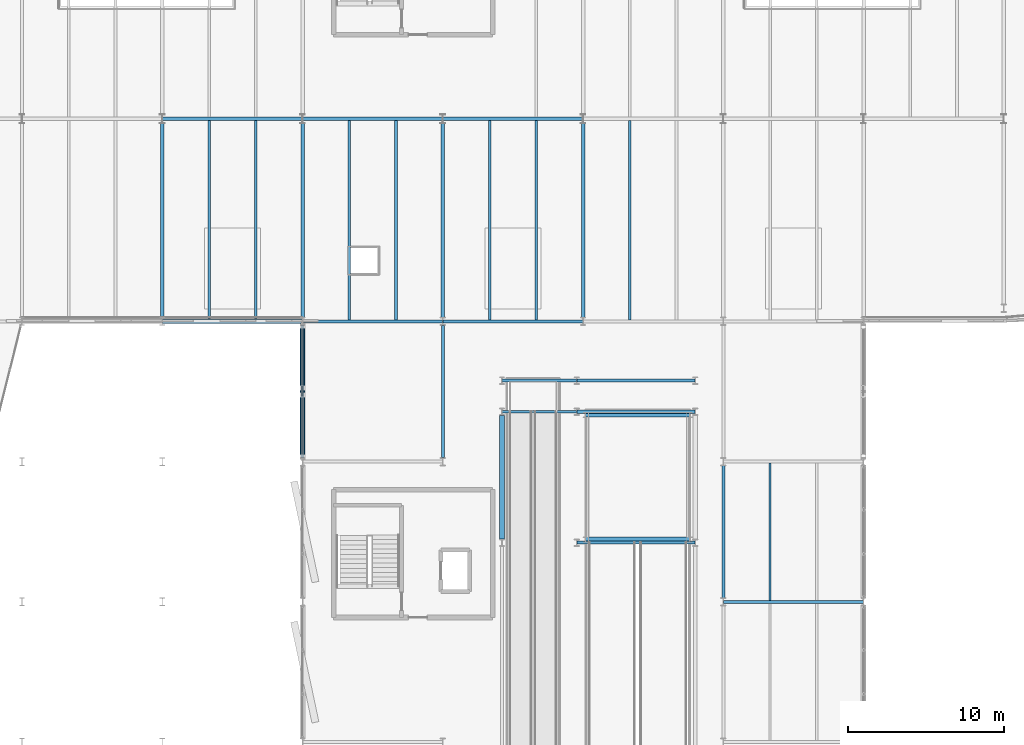
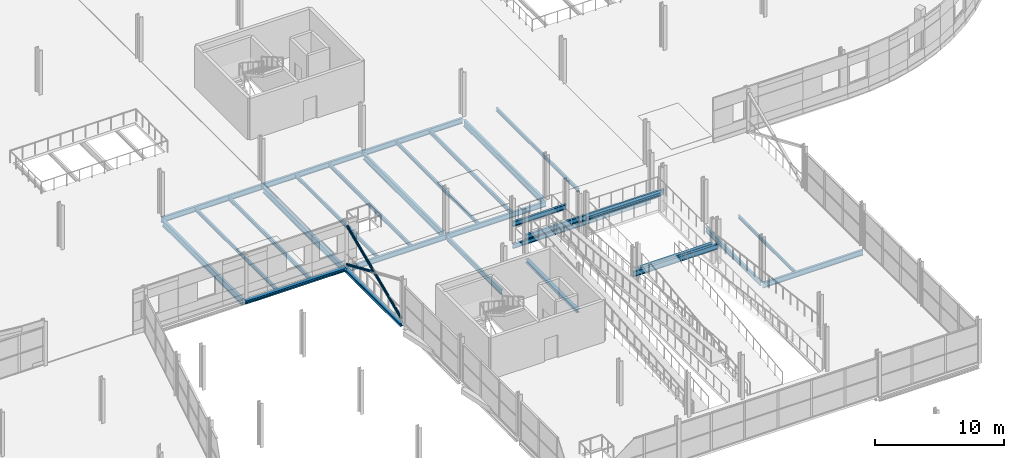
# One storey, part 76 of 132: 31 beams, 2 members.
"""IFC4 building model written with IfcOpenShell, lengths in metres."""

from ifc_helpers import new_model, si_unit, direction, frame, origin, origin_2d, place, context, subcontext, project, spatial, hollow_circle, i_section, extrude, material, material_profile, profile_set, type_object, element, save


model = new_model("IFC4")

# Units and contexts
model_context = context("Model", 3, precision=1e-05, world=origin(), true_north=direction((0.0, 1.0)))
body_context = subcontext(model_context, "Body", "Model", "MODEL_VIEW")
ifc_project = project(units=[si_unit("LENGTHUNIT", "METRE"), si_unit("AREAUNIT", "SQUARE_METRE"), si_unit("VOLUMEUNIT", "CUBIC_METRE"), si_unit("PLANEANGLEUNIT", "RADIAN"), si_unit("MASSUNIT", "GRAM", prefix="KILO")], contexts=[model_context])

# Site, building, storey
site_placement = place(None, origin())
site = spatial("IfcSite", under=ifc_project, at=site_placement, CompositionType="ELEMENT")
building_placement = place(site_placement, origin())
building = spatial("IfcBuilding", under=site, at=building_placement, Name="Deido Ridge Mobility Hub", CompositionType="ELEMENT")
storey_placement = place(building_placement, frame((0.0, 0.0, 8.39990234375)))
storey = spatial("IfcBuildingStorey", under=building, at=storey_placement, Name="L02", CompositionType="ELEMENT", Elevation=8.39990234375)

# Beams
ifc_material_1 = material(Name="Steel S355J2 EN 10025-2", Category="steel")
ifc_material_profile_1 = material_profile(ifc_material_1, i_section(OverallWidth=0.300048828125, OverallDepth=0.330078125, WebThickness=0.009521484375, FlangeThickness=0.0166015625, FilletRadius=0.027099609375, at=origin_2d()), Name="HEA 340")
ifc_profile_set_1 = profile_set([ifc_material_profile_1], Name="Steel S355J2 EN 10025-2")
beam_type_1 = type_object("IfcBeamType", Name="BM-HEA340", PredefinedType="BEAM", material=ifc_profile_set_1)
beam_1_placement = place(storey_placement, frame((84.800048828125, 67.02490234375, -0.419921875), z_axis=(0.0, 1.0, 0.0), x_axis=(-1.0, 0.0, 0.0)))
element("IfcBeam", 1, at=beam_1_placement, inside=storey, type_object=beam_type_1, Name="Floor beam B6", PredefinedType="BEAM", context=body_context, shape_type="SweptSolid", body=[
    extrude(i_section(OverallWidth=0.300048828125, OverallDepth=0.330078125, WebThickness=0.009521484375, FlangeThickness=0.0166015625, FilletRadius=0.027099609375, at=origin_2d()), origin(), (0.0, 0.0, 1.0), 7.9501953125),
])
for number, where, z_axis, x_axis, name in (
    (2, (90.14990234375, 67.0, 1.710205078125), (1.0, 0.0, 0.0), (0.0, 1.0, 0.0), "Vehicle ramp half-landing trimmer beam L02"),
    (3, (90.14990234375, 75.0, 1.710205078125), (1.0, 0.0, 0.0), (0.0, 1.0, 0.0), "Vehicle ramp half-landing trimmer beam L02"),
):
    element("IfcBeam", number, at=place(storey_placement, frame(where, z_axis=z_axis, x_axis=x_axis)), inside=storey, type_object=beam_type_1, Name=name, PredefinedType="BEAM", context=body_context, shape_type="SweptSolid", body=[
        extrude(i_section(OverallWidth=0.300048828125, OverallDepth=0.330078125, WebThickness=0.009521484375, FlangeThickness=0.0166015625, FilletRadius=0.027099609375, at=origin_2d()), origin(), (0.0, 0.0, 1.0), 6.7001953125),
    ])
ifc_material_profile_2 = material_profile(ifc_material_1, i_section(OverallWidth=0.179931640625, OverallDepth=0.39990234375, WebThickness=0.008544921875, FlangeThickness=0.013427734375, FilletRadius=0.02099609375, at=origin_2d()), Name="IPE 400")
ifc_profile_set_2 = profile_set([ifc_material_profile_2], Name="Steel S355J2 EN 10025-2")
beam_type_2 = type_object("IfcBeamType", Name="BM-IPE400", PredefinedType="BEAM", material=ifc_profile_set_2)
beam_2_placement = place(storey_placement, frame((84.806884765625, 77.199951171875, -0.454833984375), z_axis=(1.0, 0.0, 0.0), x_axis=(0.0, 1.0, 0.0)))
element("IfcBeam", 4, at=beam_2_placement, inside=storey, type_object=beam_type_2, Name="Floor beam B5", PredefinedType="BEAM", context=body_context, shape_type="SweptSolid", body=[
    extrude(i_section(OverallWidth=0.179931640625, OverallDepth=0.39990234375, WebThickness=0.008544921875, FlangeThickness=0.013427734375, FilletRadius=0.02099609375, at=origin_2d()), origin(), (0.0, 0.0, 1.0), 4.7861328125),
])
beam_3_placement = place(storey_placement, frame((89.60693359375, 77.199951171875, -0.454833984375), z_axis=(1.0, 0.0, 0.0), x_axis=(0.0, 1.0, 0.0)))
element("IfcBeam", 5, at=beam_3_placement, inside=storey, type_object=beam_type_2, Name="Floor beam B5", PredefinedType="BEAM", context=body_context, shape_type="SweptSolid", body=[
    extrude(i_section(OverallWidth=0.179931640625, OverallDepth=0.39990234375, WebThickness=0.008544921875, FlangeThickness=0.013427734375, FilletRadius=0.02099609375, at=origin_2d()), origin(), (0.0, 0.0, 1.0), 7.586181640625),
])
ifc_material_profile_3 = material_profile(ifc_material_1, i_section(OverallWidth=0.18994140625, OverallDepth=0.449951171875, WebThickness=0.009521484375, FlangeThickness=0.0146484375, FilletRadius=0.02099609375, at=origin_2d()), Name="IPE 450")
ifc_profile_set_3 = profile_set([ifc_material_profile_3], Name="Steel S355J2 EN 10025-2")
beam_type_3 = type_object("IfcBeamType", Name="BM-IPE450", PredefinedType="BEAM", material=ifc_profile_set_3)
for number, where, z_axis, x_axis, name in (
    (6, (81.0, 72.25, -0.47998046875), (0.0, 1.0, 0.0), (-1.0, 0.0, 0.0), "Floor beam B4"),
    (7, (99.0, 63.25, -0.47998046875), (0.0, 1.0, 0.0), (-1.0, 0.0, 0.0), "Floor beam B4"),
):
    element("IfcBeam", number, at=place(storey_placement, frame(where, z_axis=z_axis, x_axis=x_axis)), inside=storey, type_object=beam_type_3, Name=name, PredefinedType="BEAM", context=body_context, shape_type="SweptSolid", body=[
        extrude(i_section(OverallWidth=0.18994140625, OverallDepth=0.449951171875, WebThickness=0.009521484375, FlangeThickness=0.0146484375, FilletRadius=0.02099609375, at=origin_2d()), origin(), (0.0, 0.0, 1.0), 8.5),
    ])
for number, where, z_axis, x_axis, name in (
    (8, (84.805908203125, 75.199951171875, 1.66015625), (1.0, 0.0, 0.0), (0.0, 1.0, 0.0), "Ramp landing beam B4"),
    (9, (84.805908203125, 77.199951171875, 1.66015625), (1.0, 0.0, 0.0), (0.0, 1.0, 0.0), "Ramp landing beam B4"),
):
    element("IfcBeam", number, at=place(storey_placement, frame(where, z_axis=z_axis, x_axis=x_axis)), inside=storey, type_object=beam_type_3, Name=name, PredefinedType="BEAM", context=body_context, shape_type="SweptSolid", body=[
        extrude(i_section(OverallWidth=0.18994140625, OverallDepth=0.449951171875, WebThickness=0.009521484375, FlangeThickness=0.0146484375, FilletRadius=0.02099609375, at=origin_2d()), origin(), (0.0, 0.0, 1.0), 4.7880859375),
    ])
ifc_material_profile_4 = material_profile(ifc_material_1, i_section(OverallWidth=0.199951171875, OverallDepth=0.5, WebThickness=0.01025390625, FlangeThickness=0.01611328125, FilletRadius=0.02099609375, at=origin_2d()), Name="IPE 500")
ifc_profile_set_4 = profile_set([ifc_material_profile_4], Name="Steel S355J2 EN 10025-2")
beam_type_4 = type_object("IfcBeamType", Name="BM-IPE500", PredefinedType="BEAM", material=ifc_profile_set_4)
for number, where, z_axis, x_axis, name in (
    (10, (99.007080078125, 63.0, -0.5048828125), (1.0, 0.0, 0.0), (0.0, 1.0, 0.0), "Floor beam B3"),
    (11, (72.007080078125, 81.0, -0.5048828125), (1.0, 0.0, 0.0), (0.0, 1.0, 0.0), "Floor beam B3"),
    (12, (81.007080078125, 81.0, -0.5048828125), (1.0, 0.0, 0.0), (0.0, 1.0, 0.0), "Floor beam B3"),
):
    element("IfcBeam", number, at=place(storey_placement, frame(where, z_axis=z_axis, x_axis=x_axis)), inside=storey, type_object=beam_type_4, Name=name, PredefinedType="BEAM", context=body_context, shape_type="SweptSolid", body=[
        extrude(i_section(OverallWidth=0.199951171875, OverallDepth=0.5, WebThickness=0.01025390625, FlangeThickness=0.01611328125, FilletRadius=0.02099609375, at=origin_2d()), origin(), (0.0, 0.0, 1.0), 8.98583984375),
    ])
for number, where, z_axis, x_axis, name in (
    (13, (63.0078125, 94.0, -0.5048828125), (1.0, 0.0, 0.0), (0.0, 1.0, 0.0), "Floor beam B3"),
    (14, (72.0078125, 94.0, -0.5048828125), (1.0, 0.0, 0.0), (0.0, 1.0, 0.0), "Floor beam B3"),
    (15, (81.0078125, 94.0, -0.5048828125), (1.0, 0.0, 0.0), (0.0, 1.0, 0.0), "Floor beam B3"),
):
    element("IfcBeam", number, at=place(storey_placement, frame(where, z_axis=z_axis, x_axis=x_axis)), inside=storey, type_object=beam_type_4, Name=name, PredefinedType="BEAM", context=body_context, shape_type="SweptSolid", body=[
        extrude(i_section(OverallWidth=0.199951171875, OverallDepth=0.5, WebThickness=0.01025390625, FlangeThickness=0.01611328125, FilletRadius=0.02099609375, at=origin_2d()), origin(), (0.0, 0.0, 1.0), 8.984375),
    ])
for number, where, z_axis, x_axis, name in (
    (16, (89.60595703125, 66.800048828125, 1.550048828125), (1.0, 0.0, 0.0), (0.0, 1.0, 0.0), "Ramp landing beam B3"),
    (17, (89.60595703125, 75.199951171875, 1.625), (1.0, 0.0, 0.0), (0.0, 1.0, 0.0), "Ramp landing beam B3"),
):
    element("IfcBeam", number, at=place(storey_placement, frame(where, z_axis=z_axis, x_axis=x_axis)), inside=storey, type_object=beam_type_4, Name=name, PredefinedType="BEAM", context=body_context, shape_type="SweptSolid", body=[
        extrude(i_section(OverallWidth=0.199951171875, OverallDepth=0.5, WebThickness=0.01025390625, FlangeThickness=0.01611328125, FilletRadius=0.02099609375, at=origin_2d()), origin(), (0.0, 0.0, 1.0), 7.588134765625),
    ])
ifc_material_profile_5 = material_profile(ifc_material_1, i_section(OverallWidth=0.219970703125, OverallDepth=0.60009765625, WebThickness=0.011962890625, FlangeThickness=0.01904296875, FilletRadius=0.02392578125, at=origin_2d()), Name="IPE 600")
ifc_profile_set_5 = profile_set([ifc_material_profile_5], Name="Steel S355J2 EN 10025-2")
beam_type_5 = type_object("IfcBeamType", Name="BM-IPE600", PredefinedType="BEAM", material=ifc_profile_set_5)
for number, where, z_axis, x_axis, name in (
    (18, (63.0, 81.25, -0.554931640625), (0.0, 1.0, 0.0), (-1.0, 0.0, 0.0), "Floor beam B1"),
    (19, (72.0, 81.25, -0.554931640625), (0.0, 1.0, 0.0), (-1.0, 0.0, 0.0), "Floor beam B1"),
    (20, (81.0, 81.25, -0.554931640625), (0.0, 1.0, 0.0), (-1.0, 0.0, 0.0), "Floor beam B1"),
    (21, (90.0, 81.25, -0.554931640625), (0.0, 1.0, 0.0), (-1.0, 0.0, 0.0), "Floor beam B1"),
):
    element("IfcBeam", number, at=place(storey_placement, frame(where, z_axis=z_axis, x_axis=x_axis)), inside=storey, type_object=beam_type_5, Name=name, PredefinedType="BEAM", context=body_context, shape_type="SweptSolid", body=[
        extrude(i_section(OverallWidth=0.219970703125, OverallDepth=0.60009765625, WebThickness=0.011962890625, FlangeThickness=0.01904296875, FilletRadius=0.02392578125, at=origin_2d()), origin(), (0.0, 0.0, 1.0), 12.449951171875),
    ])
ifc_material_profile_6 = material_profile(ifc_material_1, i_section(OverallWidth=0.14990234375, OverallDepth=0.300048828125, WebThickness=0.007080078125, FlangeThickness=0.0107421875, FilletRadius=0.014892578125, at=origin_2d()), Name="IPE 300")
ifc_profile_set_6 = profile_set([ifc_material_profile_6], Name="Steel S355J2 EN 10025-2")
beam_type_6 = type_object("IfcBeamType", Name="JST-IPE300", PredefinedType="JOIST", material=ifc_profile_set_6)
beam_4_placement = place(storey_placement, frame((102.0, 63.10009765625, -0.40478515625), z_axis=(0.0, 1.0, 0.0), x_axis=(-1.0, 0.0, 0.0)))
element("IfcBeam", 22, at=beam_4_placement, inside=storey, type_object=beam_type_6, Name="Composite joist J3", PredefinedType="JOIST", context=body_context, shape_type="SweptSolid", body=[
    extrude(i_section(OverallWidth=0.14990234375, OverallDepth=0.300048828125, WebThickness=0.007080078125, FlangeThickness=0.0107421875, FilletRadius=0.014892578125, at=origin_2d()), origin(), (0.0, 0.0, 1.0), 8.7998046875),
])
ifc_material_profile_7 = material_profile(ifc_material_1, i_section(OverallWidth=0.159912109375, OverallDepth=0.330078125, WebThickness=0.007568359375, FlangeThickness=0.011474609375, FilletRadius=0.01806640625, at=origin_2d()), Name="IPE 330")
ifc_profile_set_7 = profile_set([ifc_material_profile_7], Name="Steel S355J2 EN 10025-2")
beam_type_7 = type_object("IfcBeamType", Name="JST-IPE330", PredefinedType="JOIST", material=ifc_profile_set_7)
beam_5_placement = place(storey_placement, frame((66.0, 81.14990234375, -0.419921875), z_axis=(0.0, 1.0, 0.0), x_axis=(-1.0, 0.0, 0.0)))
element("IfcBeam", 23, at=beam_5_placement, inside=storey, type_object=beam_type_7, Name="Composite joist J2", PredefinedType="JOIST", context=body_context, shape_type="SweptSolid", body=[
    extrude(i_section(OverallWidth=0.159912109375, OverallDepth=0.330078125, WebThickness=0.007568359375, FlangeThickness=0.011474609375, FilletRadius=0.01806640625, at=origin_2d()), origin(), (0.0, 0.0, 1.0), 12.75),
])
for number, where, z_axis, x_axis, name in (
    (24, (75.0, 81.10009765625, -0.419921875), (0.0, 1.0, 0.0), (-1.0, 0.0, 0.0), "Composite joist J2"),
    (25, (84.0, 81.10009765625, -0.419921875), (0.0, 1.0, 0.0), (-1.0, 0.0, 0.0), "Composite joist J2"),
    (26, (93.0, 81.10009765625, -0.419921875), (0.0, 1.0, 0.0), (-1.0, 0.0, 0.0), "Composite joist J2"),
):
    element("IfcBeam", number, at=place(storey_placement, frame(where, z_axis=z_axis, x_axis=x_axis)), inside=storey, type_object=beam_type_7, Name=name, PredefinedType="JOIST", context=body_context, shape_type="SweptSolid", body=[
        extrude(i_section(OverallWidth=0.159912109375, OverallDepth=0.330078125, WebThickness=0.007568359375, FlangeThickness=0.011474609375, FilletRadius=0.01806640625, at=origin_2d()), origin(), (0.0, 0.0, 1.0), 12.7998046875),
    ])
ifc_material_profile_8 = material_profile(ifc_material_1, i_section(OverallWidth=0.169921875, OverallDepth=0.360107421875, WebThickness=0.008056640625, FlangeThickness=0.0126953125, FilletRadius=0.01806640625, at=origin_2d()), Name="IPE 360")
ifc_profile_set_8 = profile_set([ifc_material_profile_8], Name="Steel S355J2 EN 10025-2")
beam_type_8 = type_object("IfcBeamType", Name="JST-IPE360", PredefinedType="JOIST", material=ifc_profile_set_8)
beam_6_placement = place(storey_placement, frame((69.0, 81.14990234375, -0.434814453125), z_axis=(0.0, 1.0, 0.0), x_axis=(-1.0, 0.0, 0.0)))
element("IfcBeam", 27, at=beam_6_placement, inside=storey, type_object=beam_type_8, Name="Composite joist J1", PredefinedType="JOIST", context=body_context, shape_type="SweptSolid", body=[
    extrude(i_section(OverallWidth=0.169921875, OverallDepth=0.360107421875, WebThickness=0.008056640625, FlangeThickness=0.0126953125, FilletRadius=0.01806640625, at=origin_2d()), origin(), (0.0, 0.0, 1.0), 12.75),
])
for number, where, z_axis, x_axis, name in (
    (28, (78.0, 81.10009765625, -0.434814453125), (0.0, 1.0, 0.0), (-1.0, 0.0, 0.0), "Composite joist J1"),
    (29, (87.0, 81.10009765625, -0.434814453125), (0.0, 1.0, 0.0), (-1.0, 0.0, 0.0), "Composite joist J1"),
):
    element("IfcBeam", number, at=place(storey_placement, frame(where, z_axis=z_axis, x_axis=x_axis)), inside=storey, type_object=beam_type_8, Name=name, PredefinedType="JOIST", context=body_context, shape_type="SweptSolid", body=[
        extrude(i_section(OverallWidth=0.169921875, OverallDepth=0.360107421875, WebThickness=0.008056640625, FlangeThickness=0.0126953125, FilletRadius=0.01806640625, at=origin_2d()), origin(), (0.0, 0.0, 1.0), 12.7998046875),
    ])

# Members
ifc_material_2 = material(Name="Steel S355J2H EN 10210-1", Category="steel")
ifc_material_profile_9 = material_profile(ifc_material_2, hollow_circle(Radius=0.109619140625, WallThickness=0.010009765625, at=origin_2d()), Name="CHS 219.1x10")
ifc_profile_set_9 = profile_set([ifc_material_profile_9], Name="Steel S355J2H EN 10210-1")
member_type = type_object("IfcMemberType", Name="MEM-BRC-CHS219", PredefinedType="BRACE", material=ifc_profile_set_9)
member_1_placement = place(storey_placement, frame((72.0, 72.300048828125, 0.18017578125), z_axis=(0.0, 0.917558219799, 0.397601450299), x_axis=(-1.0, 0.0, 0.0)))
element("IfcMember", 30, at=member_1_placement, inside=storey, type_object=member_type, Name="Continuous X-brace diagonal BR2", PredefinedType="BRACE", context=body_context, shape_type="SweptSolid", body=[
    extrude(hollow_circle(Radius=0.109619140625, WallThickness=0.010009765625, at=origin_2d()), origin(), (0.0, 0.0, 1.0), 9.154541015625),
])
member_2_placement = place(storey_placement, frame((72.0, 80.699951171875, 0.18017578125), z_axis=(0.0, -0.917550833654, 0.397618495119), x_axis=(1.0, 0.0, 0.0)))
element("IfcMember", 31, at=member_2_placement, inside=storey, type_object=member_type, Name="Split X-brace diagonal segment BR2", PredefinedType="BRACE", context=body_context, shape_type="SweptSolid", body=[
    extrude(hollow_circle(Radius=0.109619140625, WallThickness=0.010009765625, at=origin_2d()), origin(), (0.0, 0.0, 1.0), 4.33740234375),
])

# Beams
ifc_material_profile_10 = material_profile(ifc_material_1, i_section(OverallWidth=0.300048828125, OverallDepth=0.300048828125, WebThickness=0.010986328125, FlangeThickness=0.01904296875, FilletRadius=0.027099609375, at=origin_2d()), Name="HEB 300")
ifc_profile_set_10 = profile_set([ifc_material_profile_10], Name="Steel S355J2 EN 10025-2")
beam_type_9 = type_object("IfcBeamType", Name="SPD-HEB300", PredefinedType="SPANDREL", material=ifc_profile_set_10)
beam_7_placement = place(storey_placement, frame((63.007080078125, 81.0, -0.40478515625), z_axis=(1.0, 0.0, 0.0), x_axis=(0.0, 1.0, 0.0)))
element("IfcBeam", 32, at=beam_7_placement, inside=storey, type_object=beam_type_9, Name="Floor beam SP1", PredefinedType="SPANDREL", context=body_context, shape_type="SweptSolid", body=[
    extrude(i_section(OverallWidth=0.300048828125, OverallDepth=0.300048828125, WebThickness=0.010986328125, FlangeThickness=0.01904296875, FilletRadius=0.027099609375, at=origin_2d()), origin(), (0.0, 0.0, 1.0), 8.98583984375),
])
beam_8_placement = place(storey_placement, frame((72.0, 72.25, -0.40478515625), z_axis=(0.0, 1.0, 0.0), x_axis=(-1.0, 0.0, 0.0)))
element("IfcBeam", 33, at=beam_8_placement, inside=storey, type_object=beam_type_9, Name="Floor beam SP1", PredefinedType="SPANDREL", context=body_context, shape_type="SweptSolid", body=[
    extrude(i_section(OverallWidth=0.300048828125, OverallDepth=0.300048828125, WebThickness=0.010986328125, FlangeThickness=0.01904296875, FilletRadius=0.027099609375, at=origin_2d()), origin(), (0.0, 0.0, 1.0), 8.5),
])

save(model, "model.ifc")
